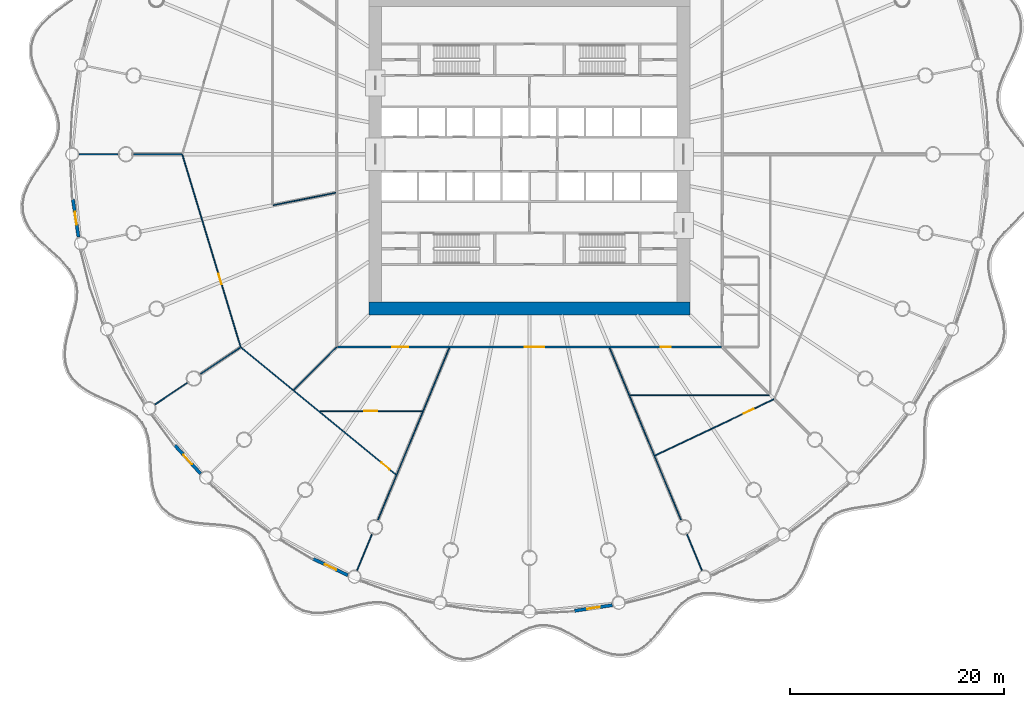
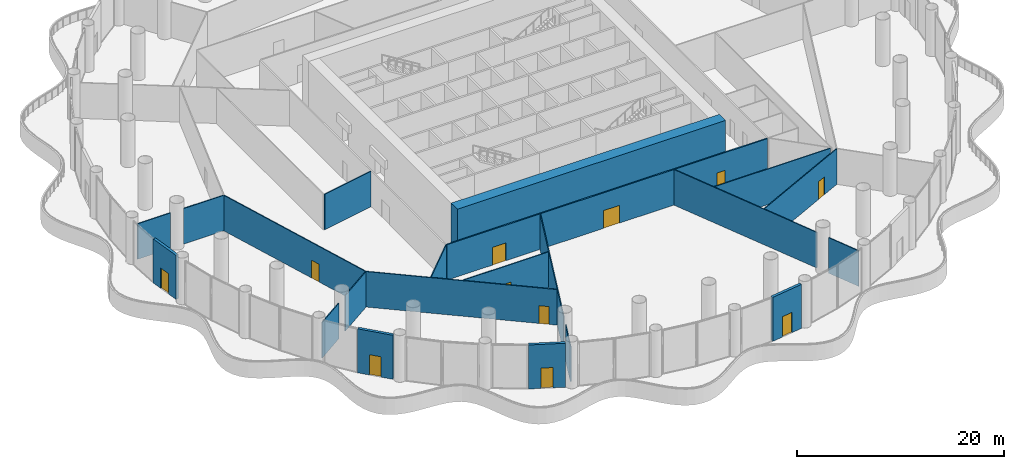
# One storey, part 23 of 37: 21 walls, 11 doors, 11 openings.
"""IFC4 building model written with IfcOpenShell, lengths in metres."""

import ifcopenshell
import ifcopenshell.guid

model = None  # the IFC model being written
_history = None  # IfcOwnerHistory: only IFC2X3 demands one
_inside = {}  # id of a spatial element -> (the spatial element, [elements in it])
_under = {}  # id of a project, library or spatial element -> (it, [spatial elements below it])
_declared = {}  # id of a project -> (the project, [libraries it declares])
_typed = {}  # id of a type object -> (the type object, [elements of that type])
_made_of = {}  # id of a material, layer set ... -> (it, [elements and type objects made of it])


def new_model(schema):
    """Start an empty IFC model of exactly this schema.

    Asked for "IFC4X3", IfcOpenShell would pick the latest addendum, in which some entities
    have other attributes; the version numbers below select the first issue.
    IFC2X3 requires an IfcOwnerHistory on every rooted entity: one is made here for all.
    """
    global model, _history
    if schema == "IFC4X3":
        model = ifcopenshell.file(schema_version=(4, 3, 0, 0))
    else:
        model = ifcopenshell.file(schema=schema)
    _inside.clear()
    _under.clear()
    _declared.clear()
    _typed.clear()
    _made_of.clear()
    _history = None
    if model.schema == "IFC2X3":
        org = make("IfcOrganization", Name="unknown")
        user = make(
            "IfcPersonAndOrganization",
            ThePerson=make("IfcPerson", FamilyName="unknown"),
            TheOrganization=org,
        )
        app = make(
            "IfcApplication",
            ApplicationDeveloper=org,
            Version="unknown",
            ApplicationFullName="unknown",
            ApplicationIdentifier="unknown",
        )
        _history = make(
            "IfcOwnerHistory",
            OwningUser=user,
            OwningApplication=app,
            ChangeAction="ADDED",
            CreationDate=0,
        )
    return model


def make(cls, **values):
    """One entity of the class cls with the attributes given. An attribute that is None is left unset."""
    return model.create_entity(
        cls, **{name: value for name, value in values.items() if value is not None}
    )


def rooted(cls, **values):
    """An entity with a GlobalId (a new one), such as an element, a storey or a relation."""
    return make(cls, GlobalId=ifcopenshell.guid.new(), OwnerHistory=_history, **values)


def si_unit(unit_type, name, prefix=None):
    """IfcSIUnit, for example si_unit("LENGTHUNIT", "METRE", prefix="MILLI")."""
    return make("IfcSIUnit", UnitType=unit_type, Prefix=prefix, Name=name)


def assignment(units):
    """IfcUnitAssignment: the units of a project."""
    return None if units is None else make("IfcUnitAssignment", Units=units)


def point(xyz):
    """IfcCartesianPoint."""
    return None if xyz is None else make("IfcCartesianPoint", Coordinates=xyz)


def direction(xyz):
    """IfcDirection."""
    return None if xyz is None else make("IfcDirection", DirectionRatios=xyz)


def frame(location, z_axis=None, x_axis=None):
    """IfcAxis2Placement3D, a coordinate frame: its origin and axes. An axis left out is left unset."""
    return make(
        "IfcAxis2Placement3D",
        Location=point(location),
        Axis=direction(z_axis),
        RefDirection=direction(x_axis),
    )


def frame_2d(location, x_axis=None):
    """IfcAxis2Placement2D, a coordinate frame in the plane: its origin and x axis."""
    return make(
        "IfcAxis2Placement2D", Location=point(location), RefDirection=direction(x_axis)
    )


def origin():
    """The frame at (0, 0, 0) with its axes left unset."""
    return frame((0.0, 0.0, 0.0))


def place(relative_to, where):
    """IfcLocalPlacement: puts the frame where relative to a parent placement (None: the world)."""
    return make(
        "IfcLocalPlacement", PlacementRelTo=relative_to, RelativePlacement=where
    )


def context(
    kind, dimensions, precision=None, world=None, true_north=None, identifier=None
):
    """IfcGeometricRepresentationContext, for example the 3D "Model" context."""
    return make(
        "IfcGeometricRepresentationContext",
        ContextIdentifier=identifier,
        ContextType=kind,
        CoordinateSpaceDimension=dimensions,
        Precision=precision,
        WorldCoordinateSystem=world,
        TrueNorth=true_north,
    )


def subcontext(parent, identifier, kind, view, scale=None):
    """IfcGeometricRepresentationSubContext, for example "Body" below "Model"."""
    return make(
        "IfcGeometricRepresentationSubContext",
        ContextIdentifier=identifier,
        ContextType=kind,
        ParentContext=parent,
        TargetScale=scale,
        TargetView=view,
    )


def project(units=None, contexts=None):
    """IfcProject with its units and contexts."""
    return rooted(
        "IfcProject",
        Name="project",
        RepresentationContexts=contexts,
        UnitsInContext=assignment(units),
    )


def spatial(cls, under=None, at=None, **own):
    """A site, building, storey or space (cls), placed at a placement, below another one or the project."""
    s = rooted(cls, ObjectPlacement=at, **own)
    if under is not None:
        _under.setdefault(under.id(), (under, []))[1].append(s)
    return s


def profile(cls, at=None, kind="AREA", **sizes):
    """A parametric profile (cls). Its sizes go by their IFC names, for example OverallWidth=200.0."""
    return make(cls, ProfileType=kind, Position=at, **sizes)


def rectangle(**sizes):
    """IfcRectangleProfileDef."""
    return profile("IfcRectangleProfileDef", **sizes)


def extrude(swept, where, along, depth):
    """IfcExtrudedAreaSolid: the profile swept, set in the frame where, extruded along a direction by depth."""
    return make(
        "IfcExtrudedAreaSolid",
        SweptArea=swept,
        Position=where,
        ExtrudedDirection=direction(along),
        Depth=depth,
    )


def shape(context_of_items, identifier, shape_type, items):
    """IfcShapeRepresentation: the items that make up one representation, for example the "Body"."""
    return make(
        "IfcShapeRepresentation",
        ContextOfItems=context_of_items,
        RepresentationIdentifier=identifier,
        RepresentationType=shape_type,
        Items=items,
    )


def material(Name=None, Category=None):
    """IfcMaterial."""
    return make("IfcMaterial", Name=Name, Category=Category)


def layer(
    of_material, thickness, ventilated=None, Name=None, Category=None, Priority=None
):
    """IfcMaterialLayer: one layer of a wall or slab, of a material (None: an air gap)."""
    return make(
        "IfcMaterialLayer",
        Material=of_material,
        LayerThickness=thickness,
        IsVentilated=ventilated,
        Name=Name,
        Category=Category,
        Priority=Priority,
    )


def layer_set(layers, Name=None):
    """IfcMaterialLayerSet."""
    return make("IfcMaterialLayerSet", MaterialLayers=layers, LayerSetName=Name)


def made_of(thing, what):
    """Note that an element or type object is made of a material, layer set ...; save() writes the relation."""
    if what is not None:
        _made_of.setdefault(what.id(), (what, []))[1].append(thing)
    return thing


def type_object(cls, material=None, **own):
    """A type object (cls), such as IfcWallType, which elements share."""
    return made_of(rooted(cls, **own), material)


def element(
    cls,
    number,
    at=None,
    inside=None,
    cuts=None,
    type_object=None,
    material=None,
    context=None,
    identifier="Body",
    shape_type=None,
    held_by="IfcProductDefinitionShape",
    body=None,
    shapes=None,
    **own,
):
    """One element of the class cls, such as IfcWall. Its Tag is "e" and its number.

    at: its placement. inside: the storey or other place that contains it. cuts: it is an
    opening in that element (IfcRelVoidsElement). A single representation is given by context,
    identifier, shape_type and body (its items); several are given by shapes. held_by: the class
    of the entity that holds the representations. save() writes the other relations.
    """
    e = rooted(cls, Tag="e%d" % number, ObjectPlacement=at, **own)
    if body is not None:
        shapes = [shape(context, identifier, shape_type, body)]
    if shapes is not None:
        e.Representation = make(held_by, Representations=shapes)
    if inside is not None:
        _inside.setdefault(inside.id(), (inside, []))[1].append(e)
    if cuts is not None:
        rooted(
            "IfcRelVoidsElement", RelatingBuildingElement=cuts, RelatedOpeningElement=e
        )
    if type_object is not None:
        _typed.setdefault(type_object.id(), (type_object, []))[1].append(e)
    return made_of(e, material)


def fill(opening, filler):
    """IfcRelFillsElement: the door or window that sits in an opening."""
    return rooted(
        "IfcRelFillsElement",
        RelatingOpeningElement=opening,
        RelatedBuildingElement=filler,
    )


def aggregate(whole, parts):
    """IfcRelAggregates: a whole, such as a stair, and the parts it consists of."""
    return rooted("IfcRelAggregates", RelatingObject=whole, RelatedObjects=parts)


def save(model, path):
    """Write the relations noted so far, then the file.

    IfcRelAggregates (storeys below a building ...), IfcRelContainedInSpatialStructure (elements
    in a storey), IfcRelDefinesByType, IfcRelAssociatesMaterial and IfcRelDeclares: one each for
    every whole, place, type object, material and project.
    """
    for whole, parts in _under.values():
        aggregate(whole, parts)
    for where, things in _inside.values():
        rooted(
            "IfcRelContainedInSpatialStructure",
            RelatedElements=things,
            RelatingStructure=where,
        )
    for kind, things in _typed.values():
        rooted("IfcRelDefinesByType", RelatedObjects=things, RelatingType=kind)
    for what, things in _made_of.values():
        rooted("IfcRelAssociatesMaterial", RelatedObjects=things, RelatingMaterial=what)
    for by, libraries in _declared.values():
        rooted("IfcRelDeclares", RelatingContext=by, RelatedDefinitions=libraries)
    model.write(path)


model = new_model("IFC4")

# Units and contexts
model_context = context("Model", 3, precision=1e-05, world=origin(), true_north=direction((0.0, 1.0)))
body_context = subcontext(model_context, "Body", "Model", "MODEL_VIEW")
ifc_project = project(units=[si_unit("LENGTHUNIT", "METRE"), si_unit("AREAUNIT", "SQUARE_METRE"), si_unit("VOLUMEUNIT", "CUBIC_METRE"), si_unit("PLANEANGLEUNIT", "RADIAN"), si_unit("MASSUNIT", "GRAM", prefix="KILO")], contexts=[model_context])

# Site, building, storey
site_placement = place(None, origin())
site = spatial("IfcSite", under=ifc_project, at=site_placement, CompositionType="ELEMENT")
building_placement = place(site_placement, origin())
building = spatial("IfcBuilding", under=site, at=building_placement, Name="Corvane Civic Tower", CompositionType="ELEMENT")
storey_placement = place(building_placement, frame((0.0, 0.0, 11.5)))
storey = spatial("IfcBuildingStorey", under=building, at=storey_placement, Name="L02", CompositionType="ELEMENT", Elevation=11.5)

# Wall
ifc_material_1 = material(Name="Concrete C80/95", Category="concrete")
ifc_layer_1 = layer(ifc_material_1, 1.199951171875)
ifc_layer_set_1 = layer_set([ifc_layer_1], Name="Concrete C80/95")
wall_type_1 = type_object("IfcWallType", Name="CORE WALL 1200 C80/95", PredefinedType="SHEAR", material=ifc_layer_set_1)
wall_1_placement = place(storey_placement, frame((-15.0, -14.39990234375, 0.0), z_axis=(0.0, 0.0, 1.0), x_axis=(1.0, 0.0, 0.0)))
element("IfcWall", 1, at=wall_1_placement, inside=storey, type_object=wall_type_1, Name="W-L02-core-S", PredefinedType="SHEAR", context=body_context, shape_type="SweptSolid", body=[
    extrude(rectangle(XDim=30.0, YDim=1.199951171875, at=frame_2d((15.0, 0.0))), origin(), (0.0, 0.0, 1.0), 5.5),
])

# Wall, opening, door
ifc_material_2 = material(Name="Terracotta cladding", Category="masonry")
ifc_layer_2 = layer(ifc_material_2, 0.300048828125)
ifc_layer_set_2 = layer_set([ifc_layer_2], Name="Terracotta cladding")
wall_type_2 = type_object("IfcWallType", Name="PODIUM-W-DRUMDOOR-300", PredefinedType="SOLIDWALL", material=ifc_layer_set_2)
wall_2_placement = place(storey_placement, frame((7.73388671875, -42.119384765625, 0.0), z_axis=(0.0, 0.0, 1.0), x_axis=(-0.989180988461, -0.146700279714, 0.0)))
wall_2 = element("IfcWall", 2, at=wall_2_placement, inside=storey, type_object=wall_type_2, Name="L02 drum door bay wall 16", PredefinedType="SOLIDWALL", context=body_context, shape_type="SweptSolid", body=[
    extrude(rectangle(XDim=3.559814453125, YDim=0.300048828125, at=frame_2d((1.77978515625, 0.0))), origin(), (0.0, 0.0, 1.0), 5.199951171875),
])
opening_1_placement = place(wall_2_placement, frame((1.179931640625, 0.0, 0.0)))
opening_1 = element("IfcOpeningElement", 3, at=opening_1_placement, cuts=wall_2, Name="Opening ED-L02-16", PredefinedType="OPENING", context=body_context, shape_type="SweptSolid", body=[
    extrude(rectangle(XDim=1.199951171875, YDim=2.39990234375, at=frame_2d((0.60009765625, 1.199951171875))), frame((0.0, 0.159912109375, 0.0), z_axis=(0.0, -1.0, 0.0), x_axis=(1.0, 0.0, 0.0)), (0.0, 0.0, 1.0), 0.320068359375),
])
ifc_material_3 = material(Name="Anodised aluminium and glass", Category="aluminium")
door_type_1 = type_object("IfcDoorType", Name="PODIUM-D-BALCONY-1200", OperationType="SINGLE_SWING_LEFT", PredefinedType="DOOR", material=ifc_material_3)
door_1_placement = place(opening_1_placement, origin())
door_1 = element("IfcDoor", 4, at=door_1_placement, inside=storey, type_object=door_type_1, Name="L02 balcony door 16", OperationType="SINGLE_SWING_RIGHT", OverallHeight=2.39990234375, OverallWidth=1.199951171875, PredefinedType="DOOR", context=body_context, shape_type="SweptSolid", body=[
    extrude(rectangle(XDim=1.199951171875, YDim=2.39990234375, at=frame_2d((0.60009765625, 1.199951171875))), frame((0.0, 0.02490234375, 0.0), z_axis=(0.0, -1.0, 0.0), x_axis=(1.0, 0.0, 0.0)), (0.0, 0.0, 1.0), 0.050048828125),
])
fill(opening_1, door_1)

wall_3_placement = place(storey_placement, frame((-16.9697265625, -39.317626953125, 0.0), z_axis=(0.0, 0.0, 1.0), x_axis=(-0.903993235074, 0.427546758778, 0.0)))
wall_3 = element("IfcWall", 5, at=wall_3_placement, inside=storey, type_object=wall_type_2, Name="L02 drum door bay wall 19", PredefinedType="SOLIDWALL", context=body_context, shape_type="SweptSolid", body=[
    extrude(rectangle(XDim=3.559814453125, YDim=0.300048828125, at=frame_2d((1.77978515625, 0.0))), origin(), (0.0, 0.0, 1.0), 5.199951171875),
])
opening_2_placement = place(wall_3_placement, frame((1.179931640625, 0.0, 0.0)))
opening_2 = element("IfcOpeningElement", 6, at=opening_2_placement, cuts=wall_3, Name="Opening ED-L02-19", PredefinedType="OPENING", context=body_context, shape_type="SweptSolid", body=[
    extrude(rectangle(XDim=1.199951171875, YDim=2.39990234375, at=frame_2d((0.60009765625, 1.199951171875))), frame((0.0, 0.159912109375, 0.0), z_axis=(0.0, -1.0, 0.0), x_axis=(1.0, 0.0, 0.0)), (0.0, 0.0, 1.0), 0.320068359375),
])
door_2_placement = place(opening_2_placement, origin())
door_2 = element("IfcDoor", 7, at=door_2_placement, inside=storey, type_object=door_type_1, Name="L02 balcony door 19", OperationType="SINGLE_SWING_LEFT", OverallHeight=2.39990234375, OverallWidth=1.199951171875, PredefinedType="DOOR", context=body_context, shape_type="SweptSolid", body=[
    extrude(rectangle(XDim=1.199951171875, YDim=2.39990234375, at=frame_2d((0.60009765625, 1.199951171875))), frame((0.0, 0.02490234375, 0.0), z_axis=(0.0, -1.0, 0.0), x_axis=(1.0, 0.0, 0.0)), (0.0, 0.0, 1.0), 0.050048828125),
])
fill(opening_2, door_2)

wall_4_placement = place(storey_placement, frame((-30.72412109375, -29.83056640625, 0.0), z_axis=(0.0, 0.0, 1.0), x_axis=(-0.671590022694, 0.740922965913, 0.0)))
wall_4 = element("IfcWall", 8, at=wall_4_placement, inside=storey, type_object=wall_type_2, Name="L02 drum door bay wall 21", PredefinedType="SOLIDWALL", context=body_context, shape_type="SweptSolid", body=[
    extrude(rectangle(XDim=3.56005859375, YDim=0.300048828125, at=frame_2d((1.780029296875, 0.0))), origin(), (0.0, 0.0, 1.0), 5.199951171875),
])
opening_3_placement = place(wall_4_placement, frame((1.179931640625, 0.0, 0.0)))
opening_3 = element("IfcOpeningElement", 9, at=opening_3_placement, cuts=wall_4, Name="Opening ED-L02-21", PredefinedType="OPENING", context=body_context, shape_type="SweptSolid", body=[
    extrude(rectangle(XDim=1.199951171875, YDim=2.39990234375, at=frame_2d((0.60009765625, 1.199951171875))), frame((0.0, 0.159912109375, 0.0), z_axis=(0.0, -1.0, 0.0), x_axis=(1.0, 0.0, 0.0)), (0.0, 0.0, 1.0), 0.320068359375),
])
door_3_placement = place(opening_3_placement, origin())
door_3 = element("IfcDoor", 10, at=door_3_placement, inside=storey, type_object=door_type_1, Name="L02 balcony door 21", OperationType="SINGLE_SWING_LEFT", OverallHeight=2.39990234375, OverallWidth=1.199951171875, PredefinedType="DOOR", context=body_context, shape_type="SweptSolid", body=[
    extrude(rectangle(XDim=1.199951171875, YDim=2.39990234375, at=frame_2d((0.60009765625, 1.199951171875))), frame((0.0, 0.02490234375, 0.0), z_axis=(0.0, -1.0, 0.0), x_axis=(1.0, 0.0, 0.0)), (0.0, 0.0, 1.0), 0.050048828125),
])
fill(opening_3, door_3)

wall_5_placement = place(storey_placement, frame((-42.119384765625, -7.73388671875, 0.0), z_axis=(0.0, 0.0, 1.0), x_axis=(-0.146700279714, 0.989180988461, 0.0)))
wall_5 = element("IfcWall", 11, at=wall_5_placement, inside=storey, type_object=wall_type_2, Name="L02 drum door bay wall 24", PredefinedType="SOLIDWALL", context=body_context, shape_type="SweptSolid", body=[
    extrude(rectangle(XDim=3.559814453125, YDim=0.300048828125, at=frame_2d((1.77978515625, 0.0))), origin(), (0.0, 0.0, 1.0), 5.199951171875),
])
opening_4_placement = place(wall_5_placement, frame((1.179931640625, 0.0, 0.0)))
opening_4 = element("IfcOpeningElement", 12, at=opening_4_placement, cuts=wall_5, Name="Opening ED-L02-24", PredefinedType="OPENING", context=body_context, shape_type="SweptSolid", body=[
    extrude(rectangle(XDim=1.199951171875, YDim=2.39990234375, at=frame_2d((0.60009765625, 1.199951171875))), frame((0.0, 0.159912109375, 0.0), z_axis=(0.0, -1.0, 0.0), x_axis=(1.0, 0.0, 0.0)), (0.0, 0.0, 1.0), 0.320068359375),
])
door_4_placement = place(opening_4_placement, origin())
door_4 = element("IfcDoor", 13, at=door_4_placement, inside=storey, type_object=door_type_1, Name="L02 balcony door 24", OperationType="SINGLE_SWING_RIGHT", OverallHeight=2.39990234375, OverallWidth=1.199951171875, PredefinedType="DOOR", context=body_context, shape_type="SweptSolid", body=[
    extrude(rectangle(XDim=1.199951171875, YDim=2.39990234375, at=frame_2d((0.60009765625, 1.199951171875))), frame((0.0, 0.02490234375, 0.0), z_axis=(0.0, -1.0, 0.0), x_axis=(1.0, 0.0, 0.0)), (0.0, 0.0, 1.0), 0.050048828125),
])
fill(opening_4, door_4)

# Walls
ifc_material_4 = material(Name="Plasterboard")
ifc_layer_3 = layer(ifc_material_4, 0.10009765625)
ifc_layer_set_3 = layer_set([ifc_layer_3], Name="Plasterboard")
wall_type_3 = type_object("IfcWallType", Name="Partition 100 plasterboard on studs", PredefinedType="PARTITIONING", material=ifc_layer_set_3)
for number, where, z_axis, x_axis, name in (
    (14, (-16.107177734375, -38.885986328125, 0.0), (0.0, 0.0, 1.0), (0.382687744427, 0.923877746385, 0.0), "Partition L02.001"),
    (15, (14.698974609375, -35.486328125, 0.0), (0.0, 0.0, 1.0), (0.382687744427, -0.923877746385, 0.0), "Partition L02.002"),
):
    element("IfcWall", number, at=place(storey_placement, frame(where, z_axis=z_axis, x_axis=x_axis)), inside=storey, type_object=wall_type_3, Name=name, PredefinedType="PARTITIONING", context=body_context, shape_type="SweptSolid", body=[
        extrude(rectangle(XDim=3.6796875, YDim=0.10009765625, at=frame_2d((1.83984375, 0.0))), origin(), (0.0, 0.0, 1.0), 4.199951171875),
    ])
for number, where, z_axis, x_axis, name in (
    (16, (-14.155517578125, -34.17431640625, 0.0), (0.0, 0.0, 1.0), (0.38268132175, 0.923880406754, 0.0), "Partition L02.003"),
    (17, (7.494873046875, -18.093994140625, 0.0), (0.0, 0.0, 1.0), (0.38268132175, -0.923880406754, 0.0), "Partition L02.004"),
):
    element("IfcWall", number, at=place(storey_placement, frame(where, z_axis=z_axis, x_axis=x_axis)), inside=storey, type_object=wall_type_3, Name=name, PredefinedType="PARTITIONING", context=body_context, shape_type="SweptSolid", body=[
        extrude(rectangle(XDim=17.4052734375, YDim=0.10009765625, at=frame_2d((8.70263671875, 0.0))), origin(), (0.0, 0.0, 1.0), 4.199951171875),
    ])

# Wall, opening, door
wall_6_placement = place(storey_placement, frame((-26.9423828125, -18.044921875, 0.0), z_axis=(0.0, 0.0, 1.0), x_axis=(0.773020751762, -0.63438073532, 0.0)))
wall_6 = element("IfcWall", 18, at=wall_6_placement, inside=storey, type_object=wall_type_3, Name="Partition L02.005", PredefinedType="PARTITIONING", context=body_context, shape_type="SweptSolid", body=[
    extrude(rectangle(XDim=18.727783203125, YDim=0.10009765625, at=frame_2d((9.36376953125, 0.0))), origin(), (0.0, 0.0, 1.0), 4.199951171875),
])
opening_5_placement = place(wall_6_placement, frame((16.95654296875, 0.0, 0.0)))
opening_5 = element("IfcOpeningElement", 19, at=opening_5_placement, cuts=wall_6, Name="Opening L02.018", PredefinedType="OPENING", context=body_context, shape_type="SweptSolid", body=[
    extrude(rectangle(XDim=1.0, YDim=2.10009765625, at=frame_2d((0.5, 1.050048828125))), frame((0.0, 0.06005859375, 0.0), z_axis=(0.0, -1.0, 0.0), x_axis=(1.0, 0.0, 0.0)), (0.0, 0.0, 1.0), 0.1201171875),
])
ifc_material_5 = material(Name="Timber", Category="wood")
door_type_2 = type_object("IfcDoorType", Name="Single door 1000", OperationType="NOTDEFINED", PredefinedType="DOOR", material=ifc_material_5)
door_5_placement = place(opening_5_placement, frame((1.0, 0.0, 0.0), z_axis=(0.0, 0.0, 1.0), x_axis=(-1.0, 0.0, 0.0)))
door_5 = element("IfcDoor", 20, at=door_5_placement, inside=storey, type_object=door_type_2, Name="Door L02.018", OperationType="SINGLE_SWING_LEFT", OverallHeight=2.10009765625, OverallWidth=1.0, PredefinedType="DOOR", context=body_context, shape_type="SweptSolid", body=[
    extrude(rectangle(XDim=1.0, YDim=2.10009765625, at=frame_2d((0.5, 1.050048828125))), frame((0.0, 0.02490234375, 0.0), z_axis=(0.0, -1.0, 0.0), x_axis=(1.0, 0.0, 0.0)), (0.0, 0.0, 1.0), 0.050048828125),
])
fill(opening_5, door_5)

wall_7_placement = place(storey_placement, frame((11.713134765625, -28.140869140625, 0.0), z_axis=(0.0, 0.0, 1.0), x_axis=(0.903993062827, 0.42754712297, 0.0)))
wall_7 = element("IfcWall", 21, at=wall_7_placement, inside=storey, type_object=wall_type_3, Name="Partition L02.007", PredefinedType="PARTITIONING", context=body_context, shape_type="SweptSolid", body=[
    extrude(rectangle(XDim=12.30224609375, YDim=0.10009765625, at=frame_2d((6.151123046875, 0.0))), origin(), (0.0, 0.0, 1.0), 4.199951171875),
])
opening_6_placement = place(wall_7_placement, frame((9.181396484375, 0.0, 0.0)))
opening_6 = element("IfcOpeningElement", 22, at=opening_6_placement, cuts=wall_7, Name="Opening L02.011", PredefinedType="OPENING", context=body_context, shape_type="SweptSolid", body=[
    extrude(rectangle(XDim=1.0, YDim=2.10009765625, at=frame_2d((0.5, 1.050048828125))), frame((0.0, 0.06005859375, 0.0), z_axis=(0.0, -1.0, 0.0), x_axis=(1.0, 0.0, 0.0)), (0.0, 0.0, 1.0), 0.1201171875),
])
door_6_placement = place(opening_6_placement, frame((1.0, 0.0, 0.0), z_axis=(0.0, 0.0, 1.0), x_axis=(-1.0, 0.0, 0.0)))
door_6 = element("IfcDoor", 23, at=door_6_placement, inside=storey, type_object=door_type_2, Name="Door L02.011", OperationType="SINGLE_SWING_RIGHT", OverallHeight=2.10009765625, OverallWidth=1.0, PredefinedType="DOOR", context=body_context, shape_type="SweptSolid", body=[
    extrude(rectangle(XDim=1.0, YDim=2.10009765625, at=frame_2d((0.5, 1.050048828125))), frame((0.0, 0.02490234375, 0.0), z_axis=(0.0, -1.0, 0.0), x_axis=(1.0, 0.0, 0.0)), (0.0, 0.0, 1.0), 0.050048828125),
])
fill(opening_6, door_6)

wall_8_placement = place(storey_placement, frame((-19.546142578125, -24.0, 0.0), z_axis=(0.0, 0.0, 1.0), x_axis=(1.0, 0.0, 0.0)))
wall_8 = element("IfcWall", 24, at=wall_8_placement, inside=storey, type_object=wall_type_3, Name="Partition L02.009", PredefinedType="PARTITIONING", context=body_context, shape_type="SweptSolid", body=[
    extrude(rectangle(XDim=9.530029296875, YDim=0.10009765625, at=frame_2d((4.76513671875, 0.0))), origin(), (0.0, 0.0, 1.0), 4.199951171875),
])
opening_7_placement = place(wall_8_placement, frame((4.1328125, 0.0, 0.0)))
opening_7 = element("IfcOpeningElement", 25, at=opening_7_placement, cuts=wall_8, Name="Opening L02.021", PredefinedType="OPENING", context=body_context, shape_type="SweptSolid", body=[
    extrude(rectangle(XDim=1.199951171875, YDim=2.10009765625, at=frame_2d((0.60009765625, 1.050048828125))), frame((0.0, 0.06005859375, 0.0), z_axis=(0.0, -1.0, 0.0), x_axis=(1.0, 0.0, 0.0)), (0.0, 0.0, 1.0), 0.1201171875),
])
ifc_material_6 = material(Name="Timber", Category="wood")
door_type_3 = type_object("IfcDoorType", Name="Double door 1200", OperationType="NOTDEFINED", PredefinedType="DOOR", material=ifc_material_6)
door_7_placement = place(opening_7_placement, frame((1.199951171875, 0.0, 0.0), z_axis=(0.0, 0.0, 1.0), x_axis=(-1.0, 0.0, 0.0)))
door_7 = element("IfcDoor", 26, at=door_7_placement, inside=storey, type_object=door_type_3, Name="Door L02.021", OperationType="DOUBLE_DOOR_SINGLE_SWING", OverallHeight=2.10009765625, OverallWidth=1.199951171875, PredefinedType="DOOR", context=body_context, shape_type="SweptSolid", body=[
    extrude(rectangle(XDim=1.199951171875, YDim=2.10009765625, at=frame_2d((0.60009765625, 1.050048828125))), frame((0.0, 0.02490234375, 0.0), z_axis=(0.0, -1.0, 0.0), x_axis=(1.0, 0.0, 0.0)), (0.0, 0.0, 1.0), 0.050048828125),
])
fill(opening_7, door_7)

# Walls
wall_9_placement = place(storey_placement, frame((-34.99658203125, -23.3837890625, 0.0), z_axis=(0.0, 0.0, 1.0), x_axis=(0.831508927146, 0.555511389691, 0.0)))
element("IfcWall", 27, at=wall_9_placement, inside=storey, type_object=wall_type_3, Name="Partition L02.010", PredefinedType="PARTITIONING", context=body_context, shape_type="SweptSolid", body=[
    extrude(rectangle(XDim=3.679931640625, YDim=0.10009765625, at=frame_2d((1.83984375, 0.0))), origin(), (0.0, 0.0, 1.0), 4.199951171875),
])
wall_10_placement = place(storey_placement, frame((9.39453125, -22.5, 0.0), z_axis=(0.0, 0.0, 1.0), x_axis=(1.0, 0.0, 0.0)))
element("IfcWall", 28, at=wall_10_placement, inside=storey, type_object=wall_type_3, Name="Partition L02.012", PredefinedType="PARTITIONING", context=body_context, shape_type="SweptSolid", body=[
    extrude(rectangle(XDim=12.98486328125, YDim=0.10009765625, at=frame_2d((6.492431640625, 0.0))), origin(), (0.0, 0.0, 1.0), 4.199951171875),
])
wall_11_placement = place(storey_placement, frame((-22.016357421875, -22.016357421875, 0.0), z_axis=(0.0, 0.0, 1.0), x_axis=(0.707106781187, 0.707106781187, 0.0)))
element("IfcWall", 29, at=wall_11_placement, inside=storey, type_object=wall_type_3, Name="Partition L02.015", PredefinedType="PARTITIONING", context=body_context, shape_type="SweptSolid", body=[
    extrude(rectangle(XDim=5.6591796875, YDim=0.10009765625, at=frame_2d((2.82958984375, 0.0))), origin(), (0.0, 0.0, 1.0), 4.199951171875),
])
wall_12_placement = place(storey_placement, frame((-30.756103515625, -20.550537109375, 0.0), z_axis=(0.0, 0.0, 1.0), x_axis=(0.831475883749, 0.555560847023, 0.0)))
element("IfcWall", 30, at=wall_12_placement, inside=storey, type_object=wall_type_3, Name="Partition L02.016", PredefinedType="PARTITIONING", context=body_context, shape_type="SweptSolid", body=[
    extrude(rectangle(XDim=4.515380859375, YDim=0.10009765625, at=frame_2d((2.2578125, 0.0))), origin(), (0.0, 0.0, 1.0), 4.199951171875),
])

# Wall, opening, door
wall_13_placement = place(storey_placement, frame((-32.4267578125, -0.035400390625, 0.0), z_axis=(0.0, 0.0, 1.0), x_axis=(0.290277944358, -0.956942378108, 0.0)))
wall_13 = element("IfcWall", 31, at=wall_13_placement, inside=storey, type_object=wall_type_3, Name="Partition L02.019", PredefinedType="PARTITIONING", context=body_context, shape_type="SweptSolid", body=[
    extrude(rectangle(XDim=18.758056640625, YDim=0.10009765625, at=frame_2d((9.37890625, 0.0))), origin(), (0.0, 0.0, 1.0), 4.199951171875),
])
opening_8_placement = place(wall_13_placement, frame((11.63623046875, 0.0, 0.0)))
opening_8 = element("IfcOpeningElement", 32, at=opening_8_placement, cuts=wall_13, Name="Opening L02.019", PredefinedType="OPENING", context=body_context, shape_type="SweptSolid", body=[
    extrude(rectangle(XDim=1.0, YDim=2.10009765625, at=frame_2d((0.5, 1.050048828125))), frame((0.0, 0.06005859375, 0.0), z_axis=(0.0, -1.0, 0.0), x_axis=(1.0, 0.0, 0.0)), (0.0, 0.0, 1.0), 0.1201171875),
])
door_8_placement = place(opening_8_placement, frame((1.0, 0.0, 0.0), z_axis=(0.0, 0.0, 1.0), x_axis=(-1.0, 0.0, 0.0)))
door_8 = element("IfcDoor", 33, at=door_8_placement, inside=storey, type_object=door_type_2, Name="Door L02.019", OperationType="SINGLE_SWING_LEFT", OverallHeight=2.10009765625, OverallWidth=1.0, PredefinedType="DOOR", context=body_context, shape_type="SweptSolid", body=[
    extrude(rectangle(XDim=1.0, YDim=2.10009765625, at=frame_2d((0.5, 1.050048828125))), frame((0.0, 0.02490234375, 0.0), z_axis=(0.0, -1.0, 0.0), x_axis=(1.0, 0.0, 0.0)), (0.0, 0.0, 1.0), 0.050048828125),
])
fill(opening_8, door_8)

# Walls
wall_14_placement = place(storey_placement, frame((-23.940185546875, -4.761962890625, 0.0), z_axis=(0.0, 0.0, 1.0), x_axis=(0.98079086851, 0.195062226601, 0.0)))
element("IfcWall", 34, at=wall_14_placement, inside=storey, type_object=wall_type_3, Name="Partition L02.026", PredefinedType="PARTITIONING", context=body_context, shape_type="SweptSolid", body=[
    extrude(rectangle(XDim=5.97021484375, YDim=0.10009765625, at=frame_2d((2.985107421875, 0.0))), origin(), (0.0, 0.0, 1.0), 4.199951171875),
])
wall_15_placement = place(storey_placement, frame((-42.090087890625, 0.0, 0.0), z_axis=(0.0, 0.0, 1.0), x_axis=(1.0, 0.0, 0.0)))
element("IfcWall", 35, at=wall_15_placement, inside=storey, type_object=wall_type_3, Name="Partition L02.028", PredefinedType="PARTITIONING", context=body_context, shape_type="SweptSolid", body=[
    extrude(rectangle(XDim=3.68017578125, YDim=0.10009765625, at=frame_2d((1.840087890625, 0.0))), origin(), (0.0, 0.0, 1.0), 4.199951171875),
])
wall_16_placement = place(storey_placement, frame((-36.989990234375, 0.0, 0.0), z_axis=(0.0, 0.0, 1.0), x_axis=(1.0, 0.0, 0.0)))
element("IfcWall", 36, at=wall_16_placement, inside=storey, type_object=wall_type_3, Name="Partition L02.029", PredefinedType="PARTITIONING", context=body_context, shape_type="SweptSolid", body=[
    extrude(rectangle(XDim=4.515380859375, YDim=0.10009765625, at=frame_2d((2.2578125, 0.0))), origin(), (0.0, 0.0, 1.0), 4.199951171875),
])

# Wall, openings, doors
ifc_material_7 = material(Name="Plasterboard")
ifc_layer_4 = layer(ifc_material_7, 0.14990234375)
ifc_layer_set_4 = layer_set([ifc_layer_4], Name="Plasterboard")
wall_type_4 = type_object("IfcWallType", Name="Tenancy wall 150 EI 60", PredefinedType="PARTITIONING", material=ifc_layer_set_4)
wall_17_placement = place(storey_placement, frame((-17.925048828125, -18.0, 0.0), z_axis=(0.0, 0.0, 1.0), x_axis=(1.0, 0.0, 0.0)))
wall_17 = element("IfcWall", 37, at=wall_17_placement, inside=storey, type_object=wall_type_4, Name="Partition L02.017", PredefinedType="PARTITIONING", context=body_context, shape_type="SweptSolid", body=[
    extrude(rectangle(XDim=35.85009765625, YDim=0.14990234375, at=frame_2d((17.925048828125, 0.0))), origin(), (0.0, 0.0, 1.0), 4.199951171875),
])
opening_9_placement = place(wall_17_placement, frame((17.501220703125, 0.0, 0.0)))
opening_9 = element("IfcOpeningElement", 38, at=opening_9_placement, cuts=wall_17, Name="Opening L02.001", PredefinedType="OPENING", context=body_context, shape_type="SweptSolid", body=[
    extrude(rectangle(XDim=1.800048828125, YDim=2.10009765625, at=frame_2d((0.89990234375, 1.050048828125))), frame((0.0, 0.0849609375, 0.0), z_axis=(0.0, -1.0, 0.0), x_axis=(1.0, 0.0, 0.0)), (0.0, 0.0, 1.0), 0.169921875),
])
opening_10_placement = place(wall_17_placement, frame((30.197998046875, 0.0, 0.0)))
opening_10 = element("IfcOpeningElement", 39, at=opening_10_placement, cuts=wall_17, Name="Opening L02.014", PredefinedType="OPENING", context=body_context, shape_type="SweptSolid", body=[
    extrude(rectangle(XDim=0.89990234375, YDim=2.10009765625, at=frame_2d((0.449951171875, 1.050048828125))), frame((0.0, 0.0849609375, 0.0), z_axis=(0.0, -1.0, 0.0), x_axis=(1.0, 0.0, 0.0)), (0.0, 0.0, 1.0), 0.169921875),
])
opening_11_placement = place(wall_17_placement, frame((5.094482421875, 0.0, 0.0)))
opening_11 = element("IfcOpeningElement", 40, at=opening_11_placement, cuts=wall_17, Name="Opening L02.023", PredefinedType="OPENING", context=body_context, shape_type="SweptSolid", body=[
    extrude(rectangle(XDim=1.5, YDim=2.10009765625, at=frame_2d((0.75, 1.050048828125))), frame((0.0, 0.0849609375, 0.0), z_axis=(0.0, -1.0, 0.0), x_axis=(1.0, 0.0, 0.0)), (0.0, 0.0, 1.0), 0.169921875),
])
ifc_material_8 = material(Name="Steel and timber", Category="steel")
door_type_4 = type_object("IfcDoorType", Name="Fire door FD30S 900", OperationType="NOTDEFINED", PredefinedType="DOOR", material=ifc_material_8)
door_9_placement = place(opening_10_placement, frame((0.89990234375, 0.0, 0.0), z_axis=(0.0, 0.0, 1.0), x_axis=(-1.0, 0.0, 0.0)))
door_9 = element("IfcDoor", 41, at=door_9_placement, inside=storey, type_object=door_type_4, Name="Door L02.014", OperationType="SINGLE_SWING_RIGHT", OverallHeight=2.10009765625, OverallWidth=0.89990234375, PredefinedType="DOOR", context=body_context, shape_type="SweptSolid", body=[
    extrude(rectangle(XDim=0.89990234375, YDim=2.10009765625, at=frame_2d((0.449951171875, 1.050048828125))), frame((0.0, 0.02490234375, 0.0), z_axis=(0.0, -1.0, 0.0), x_axis=(1.0, 0.0, 0.0)), (0.0, 0.0, 1.0), 0.050048828125),
])
fill(opening_10, door_9)
ifc_material_9 = material(Name="Steel and timber", Category="steel")
door_type_5 = type_object("IfcDoorType", Name="Fire door FD60 double 1500", OperationType="NOTDEFINED", PredefinedType="DOOR", material=ifc_material_9)
door_10_placement = place(opening_11_placement, frame((1.5, 0.0, 0.0), z_axis=(0.0, 0.0, 1.0), x_axis=(-1.0, 0.0, 0.0)))
door_10 = element("IfcDoor", 42, at=door_10_placement, inside=storey, type_object=door_type_5, Name="Door L02.023", OperationType="DOUBLE_DOOR_SINGLE_SWING", OverallHeight=2.10009765625, OverallWidth=1.5, PredefinedType="DOOR", context=body_context, shape_type="SweptSolid", body=[
    extrude(rectangle(XDim=1.5, YDim=2.10009765625, at=frame_2d((0.75, 1.050048828125))), frame((0.0, 0.02490234375, 0.0), z_axis=(0.0, -1.0, 0.0), x_axis=(1.0, 0.0, 0.0)), (0.0, 0.0, 1.0), 0.050048828125),
])
fill(opening_11, door_10)
ifc_material_10 = material(Name="Steel and timber", Category="steel")
door_type_6 = type_object("IfcDoorType", Name="Fire door FD60 double 1800", OperationType="NOTDEFINED", PredefinedType="DOOR", material=ifc_material_10)
door_11_placement = place(opening_9_placement, frame((1.800048828125, 0.0, 0.0), z_axis=(0.0, 0.0, 1.0), x_axis=(-1.0, 0.0, 0.0)))
door_11 = element("IfcDoor", 43, at=door_11_placement, inside=storey, type_object=door_type_6, Name="Door L02.001", OperationType="DOUBLE_DOOR_SINGLE_SWING", OverallHeight=2.10009765625, OverallWidth=1.800048828125, PredefinedType="DOOR", context=body_context, shape_type="SweptSolid", body=[
    extrude(rectangle(XDim=1.800048828125, YDim=2.10009765625, at=frame_2d((0.89990234375, 1.050048828125))), frame((0.0, 0.02490234375, 0.0), z_axis=(0.0, -1.0, 0.0), x_axis=(1.0, 0.0, 0.0)), (0.0, 0.0, 1.0), 0.050048828125),
])
fill(opening_9, door_11)

save(model, "model.ifc")
